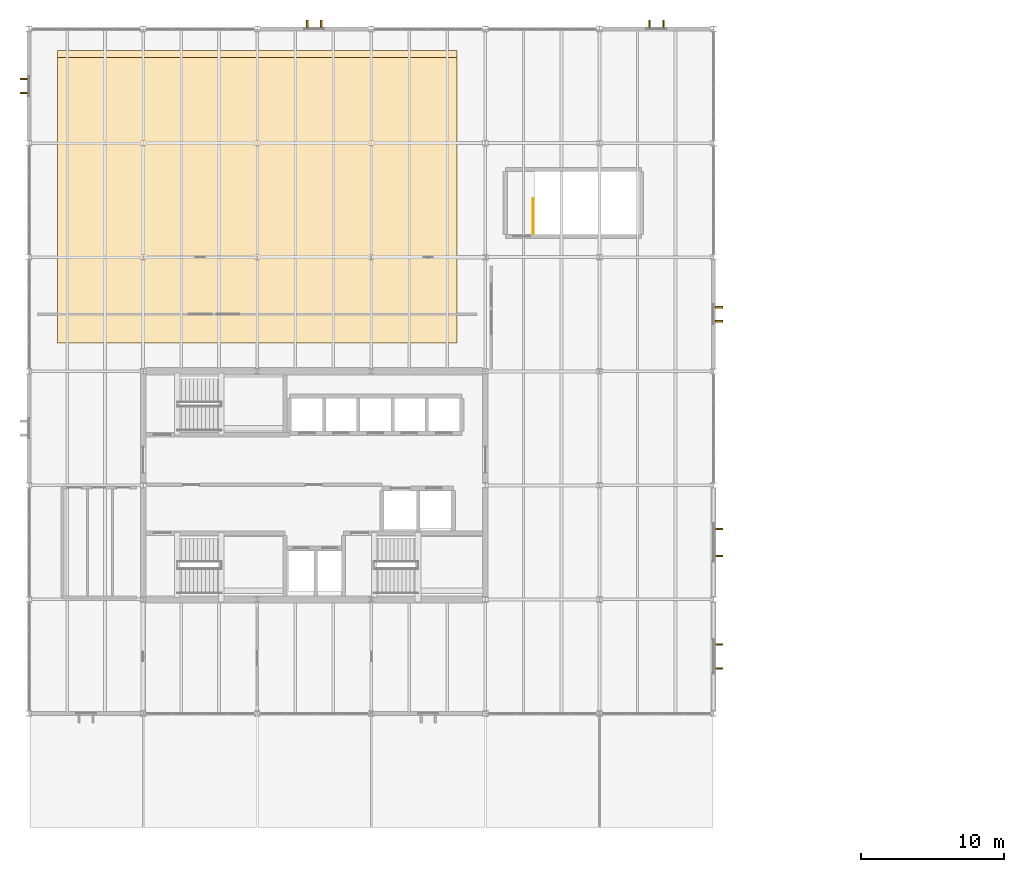
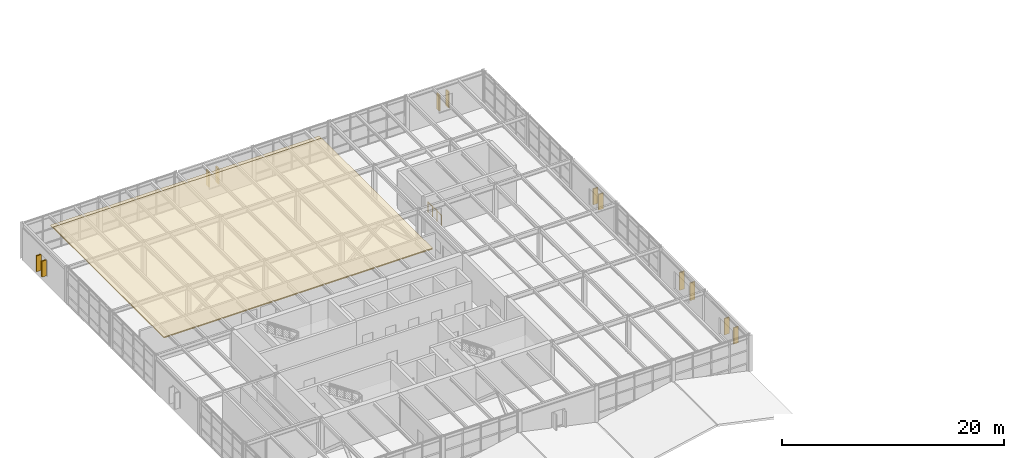
# One storey, part 33 of 34: 12 shading devices, 2 coverings, 1 railing.
"""IFC4 building model written with IfcOpenShell, lengths in metres."""

from ifc_helpers import new_model, si_unit, direction, frame, origin, origin_2d, place, context, subcontext, project, spatial, polyline, rectangle, circle, outline, extrude, material, layer, layer_set, type_object, element, save


model = new_model("IFC4")

# Units and contexts
model_context = context("Model", 3, precision=1e-05, world=origin(), true_north=direction((0.0, 1.0)))
body_context = subcontext(model_context, "Body", "Model", "MODEL_VIEW")
ifc_project = project(units=[si_unit("LENGTHUNIT", "METRE"), si_unit("AREAUNIT", "SQUARE_METRE"), si_unit("VOLUMEUNIT", "CUBIC_METRE"), si_unit("PLANEANGLEUNIT", "RADIAN"), si_unit("MASSUNIT", "GRAM", prefix="KILO")], contexts=[model_context])

# Site, building, storey
site_placement = place(None, origin())
site = spatial("IfcSite", under=ifc_project, at=site_placement, CompositionType="ELEMENT")
building_placement = place(site_placement, origin())
building = spatial("IfcBuilding", under=site, at=building_placement, Name="Varnela Railside Interchange", CompositionType="ELEMENT")
storey_placement = place(building_placement, frame((0.0, 0.0, 19.60009765625)))
storey = spatial("IfcBuildingStorey", under=building, at=storey_placement, Name="L04", CompositionType="ELEMENT", Elevation=19.60009765625)

# Coverings
ifc_material_1 = material(Name="Concrete C40 precast", Category="concrete")
ifc_layer_1 = layer(ifc_material_1, 0.050048828125)
ifc_layer_set_1 = layer_set([ifc_layer_1], Name="Concrete C40 precast")
covering_type_1 = type_object("IfcCoveringType", Name="Board-Formed Concrete Cladding Liner CV-CLD", PredefinedType="CLADDING", material=ifc_layer_set_1)
covering_1_placement = place(storey_placement, frame((0.0, 0.0, 3.889892578125)))
element("IfcCovering", 1, at=covering_1_placement, inside=storey, type_object=covering_type_1, Name="Board-Formed Concrete Cladding Liner CV-CLD", PredefinedType="CLADDING", context=body_context, shape_type="SweptSolid", body=[
    extrude(outline(polyline([(6.0, 72.0), (34.0, 72.0), (34.0, 92.5), (6.0, 92.5), (6.0, 72.0)])), origin(), (0.0, 0.0, 1.0), 0.050048828125),
])
ifc_material_2 = material(Name="Mineral wool acoustic")
ifc_layer_2 = layer(ifc_material_2, 0.080078125)
ifc_layer_set_2 = layer_set([ifc_layer_2], Name="Mineral wool acoustic")
covering_type_2 = type_object("IfcCoveringType", Name="Mineral Wool Soffit Insulation CV-INS", PredefinedType="INSULATION", material=ifc_layer_set_2)
covering_2_placement = place(storey_placement, frame((0.0, 0.0, 3.93994140625)))
element("IfcCovering", 2, at=covering_2_placement, inside=storey, type_object=covering_type_2, Name="Mineral Wool Soffit Insulation CV-INS", PredefinedType="INSULATION", context=body_context, shape_type="SweptSolid", body=[
    extrude(outline(polyline([(6.0, 72.0), (34.0, 72.0), (34.0, 92.0), (6.0, 92.0), (6.0, 72.0)])), origin(), (0.0, 0.0, 1.0), 0.080078125),
])

# Shading devices
shading_device_type = type_object("IfcShadingDeviceType", Name="Paulista Vertical Brise-Soleil BS-01", PredefinedType="USERDEFINED", material=ifc_material_1)
for number, where, z_axis, x_axis, name in (
    (3, (3.614990234375, 89.510009765625, 0.949951171875), (0.0, 0.0, 1.0), (-1.0, 0.0, 0.0), "Paulista Vertical Brise-Soleil BS-01 (L04)"),
    (4, (3.614990234375, 90.489990234375, 0.949951171875), (0.0, 0.0, 1.0), (-1.0, 0.0, 0.0), "Paulista Vertical Brise-Soleil BS-01 (L04)"),
    (5, (23.510009765625, 94.385009765625, 0.949951171875), (0.0, 0.0, 1.0), (0.0, 1.0, 0.0), "Paulista Vertical Brise-Soleil BS-01 (L04)"),
    (6, (24.489990234375, 94.385009765625, 0.949951171875), (0.0, 0.0, 1.0), (0.0, 1.0, 0.0), "Paulista Vertical Brise-Soleil BS-01 (L04)"),
    (7, (47.510009765625, 94.385009765625, 0.949951171875), (0.0, 0.0, 1.0), (0.0, 1.0, 0.0), "Paulista Vertical Brise-Soleil BS-01 (L04)"),
    (8, (48.489990234375, 94.385009765625, 0.949951171875), (0.0, 0.0, 1.0), (0.0, 1.0, 0.0), "Paulista Vertical Brise-Soleil BS-01 (L04)"),
    (9, (52.385009765625, 74.489990234375, 0.949951171875), (0.0, 0.0, 1.0), (1.0, 0.0, 0.0), "Paulista Vertical Brise-Soleil BS-01 (L04)"),
    (10, (52.385009765625, 73.510009765625, 0.949951171875), (0.0, 0.0, 1.0), (1.0, 0.0, 0.0), "Paulista Vertical Brise-Soleil BS-01 (L04)"),
):
    element("IfcShadingDevice", number, at=place(storey_placement, frame(where, z_axis=z_axis, x_axis=x_axis)), inside=storey, type_object=shading_device_type, Name=name, ObjectType="FIN", PredefinedType="USERDEFINED", context=body_context, shape_type="SweptSolid", body=[
        extrude(rectangle(XDim=0.5, YDim=0.1201171875, at=origin_2d()), origin(), (0.0, 0.0, 1.0), 1.75),
    ])
for number, where, z_axis, x_axis, name in (
    (11, (52.405029296875, 58.945068359375, 0.94970703125), (0.0, 0.0, 1.0), (1.0, 0.0, 0.0), "Paulista Vertical Brise-Soleil BS-01 (L04)"),
    (12, (52.405029296875, 57.054931640625, 0.94970703125), (0.0, 0.0, 1.0), (1.0, 0.0, 0.0), "Paulista Vertical Brise-Soleil BS-01 (L04)"),
):
    element("IfcShadingDevice", number, at=place(storey_placement, frame(where, z_axis=z_axis, x_axis=x_axis)), inside=storey, type_object=shading_device_type, Name=name, ObjectType="FIN", PredefinedType="USERDEFINED", context=body_context, shape_type="SweptSolid", body=[
        extrude(rectangle(XDim=0.5, YDim=0.1201171875, at=origin_2d()), origin(), (0.0, 0.0, 1.0), 1.949951171875),
    ])
for number, where, z_axis, x_axis, name in (
    (13, (52.405029296875, 50.840087890625, 0.94970703125), (0.0, 0.0, 1.0), (1.0, 0.0, 0.0), "Paulista Vertical Brise-Soleil BS-01 (L04)"),
    (14, (52.405029296875, 49.159912109375, 0.94970703125), (0.0, 0.0, 1.0), (1.0, 0.0, 0.0), "Paulista Vertical Brise-Soleil BS-01 (L04)"),
):
    element("IfcShadingDevice", number, at=place(storey_placement, frame(where, z_axis=z_axis, x_axis=x_axis)), inside=storey, type_object=shading_device_type, Name=name, ObjectType="FIN", PredefinedType="USERDEFINED", context=body_context, shape_type="SweptSolid", body=[
        extrude(rectangle(XDim=0.5, YDim=0.1201171875, at=origin_2d()), origin(), (0.0, 0.0, 1.0), 1.800048828125),
    ])

# Railing
ifc_material_3 = material(Name="Steel AR 350 (350 MPa)", Category="steel")
railing_type = type_object("IfcRailingType", Name="Stair Well & Landing Guard GR-02", PredefinedType="GUARDRAIL", material=ifc_material_3)
railing_placement = place(storey_placement, frame((39.360107421875, 79.659912109375, 0.0)))
element("IfcRailing", 15, at=railing_placement, inside=storey, type_object=railing_type, Name="Stair Well Arrival Guard ST-W1 on L04 (RL-0421)", PredefinedType="GUARDRAIL", context=body_context, shape_type="SweptSolid", body=[
    extrude(circle(Radius=0.02392578125, at=origin_2d()), frame((0.0, 0.0, 1.09619140625), z_axis=(0.0, 1.0, 0.0), x_axis=(-1.0, 0.0, 0.0)), (0.0, 0.0, 1.0), 2.440185546875),
    extrude(circle(Radius=0.02099609375, at=origin_2d()), origin(), (0.0, 0.0, 1.0), 1.072021484375),
    extrude(circle(Radius=0.02099609375, at=origin_2d()), frame((0.0, 0.8134765625, 0.0)), (0.0, 0.0, 1.0), 1.072021484375),
    extrude(circle(Radius=0.02099609375, at=origin_2d()), frame((0.0, 1.626708984375, 0.0)), (0.0, 0.0, 1.0), 1.072021484375),
    extrude(circle(Radius=0.02099609375, at=origin_2d()), frame((0.0, 2.440185546875, 0.0)), (0.0, 0.0, 1.0), 1.072021484375),
])

save(model, "model.ifc")
